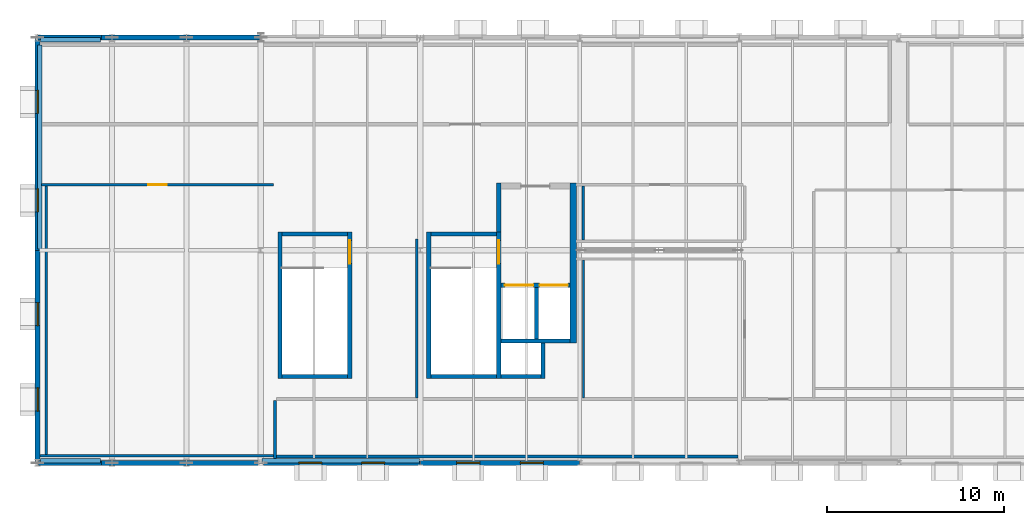
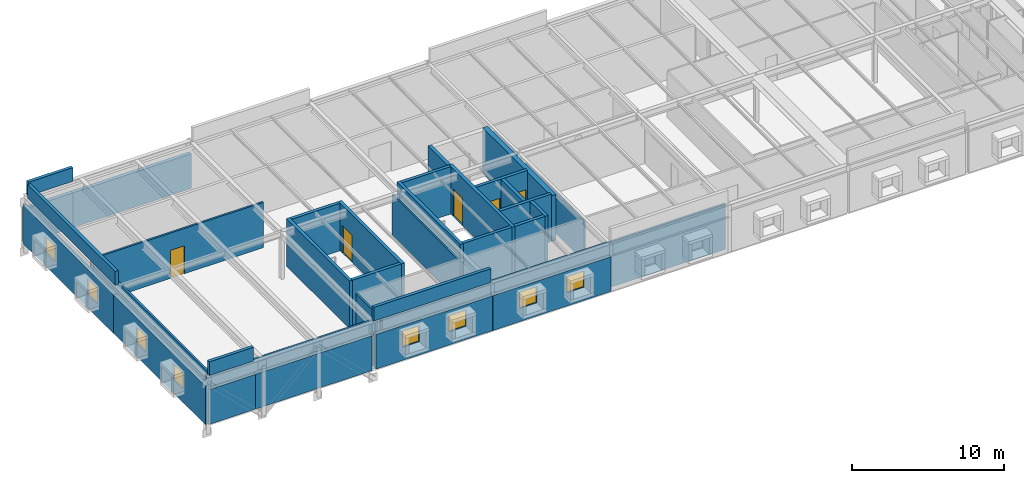
# One storey, part 11 of 16: 35 walls, 8 windows, 5 doors, 13 openings.
"""IFC4 building model written with IfcOpenShell, lengths in metres."""

from ifc_helpers import new_model, si_unit, direction, frame, frame_2d, origin, place, context, subcontext, project, spatial, rectangle, extrude, material, layer, layer_set, type_object, element, fill, save


model = new_model("IFC4")

# Units and contexts
model_context = context("Model", 3, precision=1e-05, world=origin(), true_north=direction((0.0, 1.0)))
body_context = subcontext(model_context, "Body", "Model", "MODEL_VIEW")
ifc_project = project(units=[si_unit("LENGTHUNIT", "METRE"), si_unit("AREAUNIT", "SQUARE_METRE"), si_unit("VOLUMEUNIT", "CUBIC_METRE"), si_unit("PLANEANGLEUNIT", "RADIAN"), si_unit("MASSUNIT", "GRAM", prefix="KILO")], contexts=[model_context])

# Site, building, storey
site_placement = place(None, origin())
site = spatial("IfcSite", under=ifc_project, at=site_placement, CompositionType="ELEMENT")
building_placement = place(site_placement, origin())
building = spatial("IfcBuilding", under=site, at=building_placement, Name="Montelvaro Courts of Justice", CompositionType="ELEMENT")
storey_placement = place(building_placement, frame((0.0, 0.0, 35.39990234375)))
storey = spatial("IfcBuildingStorey", under=building, at=storey_placement, Name="L08", CompositionType="ELEMENT", Elevation=35.39990234375)

# Walls
ifc_material_1 = material(Name="Gypsum board on metal stud")
ifc_layer_1 = layer(ifc_material_1, 0.14990234375)
ifc_layer_set_1 = layer_set([ifc_layer_1], Name="Gypsum board on metal stud")
wall_type_1 = type_object("IfcWallType", Name="ChambersPartition_150", PredefinedType="PARTITIONING", material=ifc_layer_set_1)
wall_1_placement = place(storey_placement, frame((71.919921875, 0.360107421875, 0.0), z_axis=(0.0, 0.0, 1.0), x_axis=(-1.0, 0.0, 0.0)))
element("IfcWall", 1, at=wall_1_placement, inside=storey, type_object=wall_type_1, Name="Interior Partition IW-04 (L08)", PredefinedType="PARTITIONING", context=body_context, shape_type="SweptSolid", body=[
    extrude(rectangle(XDim=26.0400390625, YDim=0.14990234375, at=frame_2d((13.02001953125, 0.0))), origin(), (0.0, 0.0, 1.0), 3.64013671875),
])
wall_2_placement = place(storey_placement, frame((45.800048828125, 0.235107421875, 0.0), z_axis=(0.0, 0.0, 1.0), x_axis=(0.0, 1.0, 0.0)))
element("IfcWall", 2, at=wall_2_placement, inside=storey, type_object=wall_type_1, Name="Interior Partition IW-04 (L08)", PredefinedType="PARTITIONING", context=body_context, shape_type="SweptSolid", body=[
    extrude(rectangle(XDim=3.284912109375, YDim=0.14990234375, at=frame_2d((1.642578125, 0.0))), origin(), (0.0, 0.0, 1.0), 3.64013671875),
])
wall_3_placement = place(storey_placement, frame((45.72998046875, 0.39990234375, 0.0), z_axis=(0.0, 0.0, 1.0), x_axis=(-1.0, 0.0, 0.0)))
element("IfcWall", 3, at=wall_3_placement, inside=storey, type_object=wall_type_1, Name="Interior Partition IW-04 (L08)", PredefinedType="PARTITIONING", context=body_context, shape_type="SweptSolid", body=[
    extrude(rectangle(XDim=13.195068359375, YDim=0.14990234375, at=frame_2d((6.59765625, 0.0))), origin(), (0.0, 0.0, 1.0), 3.64013671875),
])
wall_4_placement = place(storey_placement, frame((32.89990234375, 0.469970703125, 0.0), z_axis=(0.0, 0.0, 1.0), x_axis=(0.0, 1.0, 0.0)))
element("IfcWall", 4, at=wall_4_placement, inside=storey, type_object=wall_type_1, Name="Interior Partition IW-04 (L08)", PredefinedType="PARTITIONING", context=body_context, shape_type="SweptSolid", body=[
    extrude(rectangle(XDim=15.150146484375, YDim=0.14990234375, at=frame_2d((7.5751953125, 0.0))), origin(), (0.0, 0.0, 1.0), 3.64013671875),
])

# Wall, opening, door
wall_5_placement = place(storey_placement, frame((32.635009765625, 15.699951171875, 0.0), z_axis=(0.0, 0.0, 1.0), x_axis=(1.0, 0.0, 0.0)))
wall_5 = element("IfcWall", 5, at=wall_5_placement, inside=storey, type_object=wall_type_1, Name="Interior Partition IW-04 (L08)", PredefinedType="PARTITIONING", context=body_context, shape_type="SweptSolid", body=[
    extrude(rectangle(XDim=13.0849609375, YDim=0.14990234375, at=frame_2d((6.54248046875, 0.0))), origin(), (0.0, 0.0, 1.0), 3.64013671875),
])
opening_1_placement = place(wall_5_placement, frame((6.01708984375, 0.0, 0.0)))
opening_1 = element("IfcOpeningElement", 6, at=opening_1_placement, cuts=wall_5, Name="Opening D-L08-191", PredefinedType="OPENING", context=body_context, shape_type="SweptSolid", body=[
    extrude(rectangle(XDim=1.050048828125, YDim=2.25, at=frame_2d((0.52490234375, 1.125))), frame((0.0, 0.08984375, 0.0), z_axis=(0.0, -1.0, 0.0), x_axis=(1.0, 0.0, 0.0)), (0.0, 0.0, 1.0), 0.1796875),
])
ifc_material_2 = material(Name="Acoustic oak timber veneer", Category="wood")
door_type_1 = type_object("IfcDoorType", Name="ChamberDoor_105x225", OperationType="NOTDEFINED", PredefinedType="DOOR", material=ifc_material_2)
door_1_placement = place(opening_1_placement, frame((1.050048828125, 0.0, 0.0), z_axis=(0.0, 0.0, 1.0), x_axis=(-1.0, 0.0, 0.0)))
door_1 = element("IfcDoor", 7, at=door_1_placement, inside=storey, type_object=door_type_1, Name="Interior Door D-L08-191 (West Cantilever Judicial Reception Hall L08)", OperationType="SINGLE_SWING_RIGHT", OverallHeight=2.25, OverallWidth=1.050048828125, PredefinedType="DOOR", context=body_context, shape_type="SweptSolid", body=[
    extrude(rectangle(XDim=1.050048828125, YDim=2.25, at=frame_2d((0.52490234375, 1.125))), frame((0.0, 0.02490234375, 0.0), z_axis=(0.0, -1.0, 0.0), x_axis=(1.0, 0.0, 0.0)), (0.0, 0.0, 1.0), 0.050048828125),
])
fill(opening_1, door_1)

# Walls
wall_6_placement = place(storey_placement, frame((63.199951171875, 12.570068359375, 0.0), z_axis=(0.0, 0.0, 1.0), x_axis=(0.0, 1.0, 0.0)))
element("IfcWall", 8, at=wall_6_placement, inside=storey, type_object=wall_type_1, Name="Interior Partition IW-04 (L08)", PredefinedType="PARTITIONING", context=body_context, shape_type="SweptSolid", body=[
    extrude(rectangle(XDim=3.050048828125, YDim=0.14990234375, at=frame_2d((1.52490234375, 0.0))), origin(), (0.0, 0.0, 1.0), 3.2451171875),
])
ifc_material_3 = material(Name="Concrete C40/50", Category="concrete")
ifc_layer_2 = layer(ifc_material_3, 0.360107421875)
ifc_layer_set_2 = layer_set([ifc_layer_2], Name="Concrete C40/50")
wall_type_2 = type_object("IfcWallType", Name="CoreWall_360", PredefinedType="SHEAR", material=ifc_layer_set_2)
wall_7_placement = place(storey_placement, frame((62.6201171875, 6.760009765625, 0.0), z_axis=(0.0, 0.0, 1.0), x_axis=(0.0, 1.0, 0.0)))
element("IfcWall", 9, at=wall_7_placement, inside=storey, type_object=wall_type_2, Name="Core Shear Wall CW-01 K1-E (L08)", PredefinedType="SHEAR", context=body_context, shape_type="SweptSolid", body=[
    extrude(rectangle(XDim=9.0400390625, YDim=0.360107421875, at=frame_2d((4.52001953125, 0.0))), origin(), (0.0, 0.0, 1.0), 3.66015625),
])
ifc_material_4 = material(Name="White mineral precast concrete C45/55", Category="concrete")
ifc_layer_3 = layer(ifc_material_4, 0.280029296875)
ifc_layer_set_3 = layer_set([ifc_layer_3], Name="White mineral precast concrete C45/55")
wall_type_3 = type_object("IfcWallType", Name="ExtWall_GFRC_280", PredefinedType="SOLIDWALL", material=ifc_layer_set_3)
wall_8_placement = place(storey_placement, frame((32.43994140625, 0.0, 0.0), z_axis=(0.0, 0.0, 1.0), x_axis=(1.0, 0.0, 0.0)))
element("IfcWall", 10, at=wall_8_placement, inside=storey, type_object=wall_type_3, Name="Exterior Facade Wall EW-01 (L08)", PredefinedType="SOLIDWALL", context=body_context, shape_type="SweptSolid", body=[
    extrude(rectangle(XDim=3.570068359375, YDim=0.280029296875, at=frame_2d((1.78515625, 0.0))), origin(), (0.0, 0.0, 1.0), 2.787109375),
])
wall_9_placement = place(storey_placement, frame((35.989990234375, 0.0, 0.0), z_axis=(0.0, 0.0, 1.0), x_axis=(1.0, 0.0, 0.0)))
element("IfcWall", 11, at=wall_9_placement, inside=storey, type_object=wall_type_3, Name="Exterior Facade Wall EW-01 (L08)", PredefinedType="SOLIDWALL", context=body_context, shape_type="SweptSolid", body=[
    extrude(rectangle(XDim=8.8720703125, YDim=0.280029296875, at=frame_2d((4.43603515625, 0.0))), origin(), (0.0, 0.0, 1.0), 2.787109375),
])

# Wall, openings, windows
wall_10_placement = place(storey_placement, frame((45.137939453125, 0.0, 0.0), z_axis=(0.0, 0.0, 1.0), x_axis=(1.0, 0.0, 0.0)))
wall_10 = element("IfcWall", 12, at=wall_10_placement, inside=storey, type_object=wall_type_3, Name="Exterior Facade Wall EW-01 (L08)", PredefinedType="SOLIDWALL", context=body_context, shape_type="SweptSolid", body=[
    extrude(rectangle(XDim=8.85400390625, YDim=0.280029296875, at=frame_2d((4.427001953125, 0.0))), origin(), (0.0, 0.0, 1.0), 2.787109375),
])
opening_2_placement = place(wall_10_placement, frame((2.006103515625, 0.0, 1.050048828125)))
opening_2 = element("IfcOpeningElement", 13, at=opening_2_placement, cuts=wall_10, Name="Opening WE-18", PredefinedType="OPENING", context=body_context, shape_type="SweptSolid", body=[
    extrude(rectangle(XDim=1.300048828125, YDim=1.300048828125, at=frame_2d((0.64990234375, 0.64990234375))), frame((0.0, 0.15478515625, 0.0), z_axis=(0.0, -1.0, 0.0), x_axis=(1.0, 0.0, 0.0)), (0.0, 0.0, 1.0), 0.309814453125),
])
opening_3_placement = place(wall_10_placement, frame((5.548095703125, 0.0, 1.050048828125)))
opening_3 = element("IfcOpeningElement", 14, at=opening_3_placement, cuts=wall_10, Name="Opening WE-18", PredefinedType="OPENING", context=body_context, shape_type="SweptSolid", body=[
    extrude(rectangle(XDim=1.300048828125, YDim=1.300048828125, at=frame_2d((0.64990234375, 0.64990234375))), frame((0.0, 0.15478515625, 0.0), z_axis=(0.0, -1.0, 0.0), x_axis=(1.0, 0.0, 0.0)), (0.0, 0.0, 1.0), 0.309814453125),
])
ifc_material_5 = material(Name="Low-E solar control double glazing", Category="glass")
window_type = type_object("IfcWindowType", Name="Win_Sq_130x130", PartitioningType="SINGLE_PANEL", PredefinedType="WINDOW", material=ifc_material_5)
window_1_placement = place(opening_2_placement, origin())
window_1 = element("IfcWindow", 15, at=window_1_placement, inside=storey, type_object=window_type, Name="Window W-L08-370", OverallHeight=1.300048828125, OverallWidth=1.300048828125, PartitioningType="SINGLE_PANEL", PredefinedType="WINDOW", context=body_context, shape_type="SweptSolid", body=[
    extrude(rectangle(XDim=1.300048828125, YDim=1.300048828125, at=frame_2d((0.64990234375, 0.64990234375))), frame((0.0, 0.030029296875, 0.0), z_axis=(0.0, -1.0, 0.0), x_axis=(1.0, 0.0, 0.0)), (0.0, 0.0, 1.0), 0.06005859375),
])
fill(opening_2, window_1)
window_2_placement = place(opening_3_placement, origin())
window_2 = element("IfcWindow", 16, at=window_2_placement, inside=storey, type_object=window_type, Name="Window W-L08-371", OverallHeight=1.300048828125, OverallWidth=1.300048828125, PartitioningType="SINGLE_PANEL", PredefinedType="WINDOW", context=body_context, shape_type="SweptSolid", body=[
    extrude(rectangle(XDim=1.300048828125, YDim=1.300048828125, at=frame_2d((0.64990234375, 0.64990234375))), frame((0.0, 0.030029296875, 0.0), z_axis=(0.0, -1.0, 0.0), x_axis=(1.0, 0.0, 0.0)), (0.0, 0.0, 1.0), 0.06005859375),
])
fill(opening_3, window_2)

wall_11_placement = place(storey_placement, frame((54.008056640625, 0.0, 0.0), z_axis=(0.0, 0.0, 1.0), x_axis=(1.0, 0.0, 0.0)))
wall_11 = element("IfcWall", 17, at=wall_11_placement, inside=storey, type_object=wall_type_3, Name="Exterior Facade Wall EW-01 (L08)", PredefinedType="SOLIDWALL", context=body_context, shape_type="SweptSolid", body=[
    extrude(rectangle(XDim=8.98388671875, YDim=0.280029296875, at=frame_2d((4.491943359375, 0.0))), origin(), (0.0, 0.0, 1.0), 2.787109375),
])
opening_4_placement = place(wall_11_placement, frame((2.044921875, 0.0, 1.050048828125)))
opening_4 = element("IfcOpeningElement", 18, at=opening_4_placement, cuts=wall_11, Name="Opening WE-18", PredefinedType="OPENING", context=body_context, shape_type="SweptSolid", body=[
    extrude(rectangle(XDim=1.300048828125, YDim=1.300048828125, at=frame_2d((0.64990234375, 0.64990234375))), frame((0.0, 0.15478515625, 0.0), z_axis=(0.0, -1.0, 0.0), x_axis=(1.0, 0.0, 0.0)), (0.0, 0.0, 1.0), 0.309814453125),
])
opening_5_placement = place(wall_11_placement, frame((5.638916015625, 0.0, 1.050048828125)))
opening_5 = element("IfcOpeningElement", 19, at=opening_5_placement, cuts=wall_11, Name="Opening WE-18", PredefinedType="OPENING", context=body_context, shape_type="SweptSolid", body=[
    extrude(rectangle(XDim=1.300048828125, YDim=1.300048828125, at=frame_2d((0.64990234375, 0.64990234375))), frame((0.0, 0.15478515625, 0.0), z_axis=(0.0, -1.0, 0.0), x_axis=(1.0, 0.0, 0.0)), (0.0, 0.0, 1.0), 0.309814453125),
])
window_3_placement = place(opening_4_placement, origin())
window_3 = element("IfcWindow", 20, at=window_3_placement, inside=storey, type_object=window_type, Name="Window W-L08-372", OverallHeight=1.300048828125, OverallWidth=1.300048828125, PartitioningType="SINGLE_PANEL", PredefinedType="WINDOW", context=body_context, shape_type="SweptSolid", body=[
    extrude(rectangle(XDim=1.300048828125, YDim=1.300048828125, at=frame_2d((0.64990234375, 0.64990234375))), frame((0.0, 0.030029296875, 0.0), z_axis=(0.0, -1.0, 0.0), x_axis=(1.0, 0.0, 0.0)), (0.0, 0.0, 1.0), 0.06005859375),
])
fill(opening_4, window_3)
window_4_placement = place(opening_5_placement, origin())
window_4 = element("IfcWindow", 21, at=window_4_placement, inside=storey, type_object=window_type, Name="Window W-L08-373", OverallHeight=1.300048828125, OverallWidth=1.300048828125, PartitioningType="SINGLE_PANEL", PredefinedType="WINDOW", context=body_context, shape_type="SweptSolid", body=[
    extrude(rectangle(XDim=1.300048828125, YDim=1.300048828125, at=frame_2d((0.64990234375, 0.64990234375))), frame((0.0, 0.030029296875, 0.0), z_axis=(0.0, -1.0, 0.0), x_axis=(1.0, 0.0, 0.0)), (0.0, 0.0, 1.0), 0.06005859375),
])
fill(opening_5, window_4)

# Walls
wall_12_placement = place(storey_placement, frame((44.991943359375, 24.0, 0.0), z_axis=(0.0, 0.0, 1.0), x_axis=(-1.0, 0.0, 0.0)))
element("IfcWall", 22, at=wall_12_placement, inside=storey, type_object=wall_type_3, Name="Exterior Facade Wall EW-01 (L08)", PredefinedType="SOLIDWALL", context=body_context, shape_type="SweptSolid", body=[
    extrude(rectangle(XDim=9.001953125, YDim=0.280029296875, at=frame_2d((4.5009765625, 0.0))), origin(), (0.0, 0.0, 1.0), 2.787109375),
])
wall_13_placement = place(storey_placement, frame((36.010009765625, 24.0, 0.0), z_axis=(0.0, 0.0, 1.0), x_axis=(-1.0, 0.0, 0.0)))
element("IfcWall", 23, at=wall_13_placement, inside=storey, type_object=wall_type_3, Name="Exterior Facade Wall EW-01 (L08)", PredefinedType="SOLIDWALL", context=body_context, shape_type="SweptSolid", body=[
    extrude(rectangle(XDim=3.64990234375, YDim=0.280029296875, at=frame_2d((1.824951171875, 0.0))), origin(), (0.0, 0.0, 1.0), 2.787109375),
])

# Wall, openings, windows
wall_14_placement = place(storey_placement, frame((32.39990234375, 23.9599609375, 0.0), z_axis=(0.0, 0.0, 1.0), x_axis=(0.0, -1.0, 0.0)))
wall_14 = element("IfcWall", 24, at=wall_14_placement, inside=storey, type_object=wall_type_3, Name="Exterior Facade Wall EW-01 (L08)", PredefinedType="SOLIDWALL", context=body_context, shape_type="SweptSolid", body=[
    extrude(rectangle(XDim=11.969970703125, YDim=0.280029296875, at=frame_2d((5.98486328125, 0.0))), origin(), (0.0, 0.0, 1.0), 3.09521484375),
])
opening_6_placement = place(wall_14_placement, frame((2.94091796875, 0.0, 1.050048828125)))
opening_6 = element("IfcOpeningElement", 25, at=opening_6_placement, cuts=wall_14, Name="Opening WE-18", PredefinedType="OPENING", context=body_context, shape_type="SweptSolid", body=[
    extrude(rectangle(XDim=1.300048828125, YDim=1.300048828125, at=frame_2d((0.64990234375, 0.64990234375))), frame((0.0, 0.15478515625, 0.0), z_axis=(0.0, -1.0, 0.0), x_axis=(1.0, 0.0, 0.0)), (0.0, 0.0, 1.0), 0.309814453125),
])
opening_7_placement = place(wall_14_placement, frame((8.5, 0.0, 1.050048828125)))
opening_7 = element("IfcOpeningElement", 26, at=opening_7_placement, cuts=wall_14, Name="Opening WE-18", PredefinedType="OPENING", context=body_context, shape_type="SweptSolid", body=[
    extrude(rectangle(XDim=1.300048828125, YDim=1.300048828125, at=frame_2d((0.64990234375, 0.64990234375))), frame((0.0, 0.15478515625, 0.0), z_axis=(0.0, -1.0, 0.0), x_axis=(1.0, 0.0, 0.0)), (0.0, 0.0, 1.0), 0.309814453125),
])
window_5_placement = place(opening_6_placement, origin())
window_5 = element("IfcWindow", 27, at=window_5_placement, inside=storey, type_object=window_type, Name="Window W-L08-386", OverallHeight=1.300048828125, OverallWidth=1.300048828125, PartitioningType="SINGLE_PANEL", PredefinedType="WINDOW", context=body_context, shape_type="SweptSolid", body=[
    extrude(rectangle(XDim=1.300048828125, YDim=1.300048828125, at=frame_2d((0.64990234375, 0.64990234375))), frame((0.0, 0.030029296875, 0.0), z_axis=(0.0, -1.0, 0.0), x_axis=(1.0, 0.0, 0.0)), (0.0, 0.0, 1.0), 0.06005859375),
])
fill(opening_6, window_5)
window_6_placement = place(opening_7_placement, origin())
window_6 = element("IfcWindow", 28, at=window_6_placement, inside=storey, type_object=window_type, Name="Window W-L08-387", OverallHeight=1.300048828125, OverallWidth=1.300048828125, PartitioningType="SINGLE_PANEL", PredefinedType="WINDOW", context=body_context, shape_type="SweptSolid", body=[
    extrude(rectangle(XDim=1.300048828125, YDim=1.300048828125, at=frame_2d((0.64990234375, 0.64990234375))), frame((0.0, 0.030029296875, 0.0), z_axis=(0.0, -1.0, 0.0), x_axis=(1.0, 0.0, 0.0)), (0.0, 0.0, 1.0), 0.06005859375),
])
fill(opening_7, window_6)

wall_15_placement = place(storey_placement, frame((32.39990234375, 12.010009765625, 0.0), z_axis=(0.0, 0.0, 1.0), x_axis=(0.0, -1.0, 0.0)))
wall_15 = element("IfcWall", 29, at=wall_15_placement, inside=storey, type_object=wall_type_3, Name="Exterior Facade Wall EW-01 (L08)", PredefinedType="SOLIDWALL", context=body_context, shape_type="SweptSolid", body=[
    extrude(rectangle(XDim=12.050048828125, YDim=0.280029296875, at=frame_2d((6.02490234375, 0.0))), origin(), (0.0, 0.0, 1.0), 3.09521484375),
])
opening_8_placement = place(wall_15_placement, frame((2.965087890625, 0.0, 1.050048828125)))
opening_8 = element("IfcOpeningElement", 30, at=opening_8_placement, cuts=wall_15, Name="Opening WE-18", PredefinedType="OPENING", context=body_context, shape_type="SweptSolid", body=[
    extrude(rectangle(XDim=1.300048828125, YDim=1.300048828125, at=frame_2d((0.64990234375, 0.64990234375))), frame((0.0, 0.15478515625, 0.0), z_axis=(0.0, -1.0, 0.0), x_axis=(1.0, 0.0, 0.0)), (0.0, 0.0, 1.0), 0.309814453125),
])
opening_9_placement = place(wall_15_placement, frame((7.784912109375, 0.0, 1.050048828125)))
opening_9 = element("IfcOpeningElement", 31, at=opening_9_placement, cuts=wall_15, Name="Opening WE-18", PredefinedType="OPENING", context=body_context, shape_type="SweptSolid", body=[
    extrude(rectangle(XDim=1.300048828125, YDim=1.300048828125, at=frame_2d((0.64990234375, 0.64990234375))), frame((0.0, 0.15478515625, 0.0), z_axis=(0.0, -1.0, 0.0), x_axis=(1.0, 0.0, 0.0)), (0.0, 0.0, 1.0), 0.309814453125),
])
window_7_placement = place(opening_8_placement, origin())
window_7 = element("IfcWindow", 32, at=window_7_placement, inside=storey, type_object=window_type, Name="Window W-L08-388", OverallHeight=1.300048828125, OverallWidth=1.300048828125, PartitioningType="SINGLE_PANEL", PredefinedType="WINDOW", context=body_context, shape_type="SweptSolid", body=[
    extrude(rectangle(XDim=1.300048828125, YDim=1.300048828125, at=frame_2d((0.64990234375, 0.64990234375))), frame((0.0, 0.030029296875, 0.0), z_axis=(0.0, -1.0, 0.0), x_axis=(1.0, 0.0, 0.0)), (0.0, 0.0, 1.0), 0.06005859375),
])
fill(opening_8, window_7)
window_8_placement = place(opening_9_placement, origin())
window_8 = element("IfcWindow", 33, at=window_8_placement, inside=storey, type_object=window_type, Name="Window W-L08-389", OverallHeight=1.300048828125, OverallWidth=1.300048828125, PartitioningType="SINGLE_PANEL", PredefinedType="WINDOW", context=body_context, shape_type="SweptSolid", body=[
    extrude(rectangle(XDim=1.300048828125, YDim=1.300048828125, at=frame_2d((0.64990234375, 0.64990234375))), frame((0.0, 0.030029296875, 0.0), z_axis=(0.0, -1.0, 0.0), x_axis=(1.0, 0.0, 0.0)), (0.0, 0.0, 1.0), 0.06005859375),
])
fill(opening_9, window_8)

# Walls
ifc_layer_4 = layer(ifc_material_1, 0.1201171875)
ifc_layer_set_4 = layer_set([ifc_layer_4], Name="Gypsum board on metal stud")
wall_type_4 = type_object("IfcWallType", Name="OfficePartition_120", PredefinedType="PARTITIONING", material=ifc_layer_set_4)
wall_16_placement = place(storey_placement, frame((53.800048828125, 12.6201171875, 0.0), z_axis=(0.0, 0.0, 1.0), x_axis=(0.0, -1.0, 0.0)))
element("IfcWall", 34, at=wall_16_placement, inside=storey, type_object=wall_type_4, Name="Interior Partition IW-05 (L08)", PredefinedType="PARTITIONING", context=body_context, shape_type="SweptSolid", body=[
    extrude(rectangle(XDim=8.9501953125, YDim=0.1201171875, at=frame_2d((4.47509765625, 0.0))), origin(), (0.0, 0.0, 1.0), 3.30517578125),
])
wall_17_placement = place(storey_placement, frame((63.199951171875, 3.669921875, 0.0), z_axis=(0.0, 0.0, 1.0), x_axis=(0.0, 1.0, 0.0)))
element("IfcWall", 35, at=wall_17_placement, inside=storey, type_object=wall_type_4, Name="Interior Partition IW-05 (L08)", PredefinedType="PARTITIONING", context=body_context, shape_type="SweptSolid", body=[
    extrude(rectangle(XDim=7.775146484375, YDim=0.1201171875, at=frame_2d((3.8876953125, 0.0))), origin(), (0.0, 0.0, 1.0), 3.2451171875),
])
ifc_layer_5 = layer(ifc_material_4, 0.239990234375)
ifc_layer_set_5 = layer_set([ifc_layer_5], Name="White mineral precast concrete C45/55")
wall_type_5 = type_object("IfcWallType", Name="ParapetWall_240", PredefinedType="PARAPET", material=ifc_layer_set_5)
wall_18_placement = place(storey_placement, frame((32.580078125, 0.1201171875, 3.800048828125), z_axis=(0.0, 0.0, 1.0), x_axis=(1.0, 0.0, 0.0)))
element("IfcWall", 36, at=wall_18_placement, inside=storey, type_object=wall_type_5, Name="Roof Parapet PW-01 L08-001", PredefinedType="PARAPET", context=body_context, shape_type="SweptSolid", body=[
    extrude(rectangle(XDim=3.35986328125, YDim=0.239990234375, at=frame_2d((1.679931640625, 0.0))), origin(), (0.0, 0.0, 1.0), 1.10009765625),
])
wall_19_placement = place(storey_placement, frame((45.06005859375, 0.1201171875, 3.800048828125), z_axis=(0.0, 0.0, 1.0), x_axis=(1.0, 0.0, 0.0)))
element("IfcWall", 37, at=wall_19_placement, inside=storey, type_object=wall_type_5, Name="Roof Parapet PW-01 L08-002", PredefinedType="PARAPET", context=body_context, shape_type="SweptSolid", body=[
    extrude(rectangle(XDim=8.8798828125, YDim=0.239990234375, at=frame_2d((4.43994140625, 0.0))), origin(), (0.0, 0.0, 1.0), 1.10009765625),
])
wall_20_placement = place(storey_placement, frame((35.93994140625, 23.8798828125, 3.800048828125), z_axis=(0.0, 0.0, 1.0), x_axis=(-1.0, 0.0, 0.0)))
element("IfcWall", 38, at=wall_20_placement, inside=storey, type_object=wall_type_5, Name="Roof Parapet PW-01 L08-013", PredefinedType="PARAPET", context=body_context, shape_type="SweptSolid", body=[
    extrude(rectangle(XDim=3.35986328125, YDim=0.239990234375, at=frame_2d((1.679931640625, 0.0))), origin(), (0.0, 0.0, 1.0), 1.10009765625),
])
wall_21_placement = place(storey_placement, frame((32.52001953125, 23.580078125, 3.800048828125), z_axis=(0.0, 0.0, 1.0), x_axis=(0.0, -1.0, 0.0)))
element("IfcWall", 39, at=wall_21_placement, inside=storey, type_object=wall_type_5, Name="Roof Parapet PW-01 L08-014", PredefinedType="PARAPET", context=body_context, shape_type="SweptSolid", body=[
    extrude(rectangle(XDim=11.52001953125, YDim=0.239990234375, at=frame_2d((5.760009765625, 0.0))), origin(), (0.0, 0.0, 1.0), 1.10009765625),
])
ifc_material_6 = material(Name="Concrete C35/45", Category="concrete")
ifc_layer_6 = layer(ifc_material_6, 0.239990234375)
ifc_layer_set_6 = layer_set([ifc_layer_6], Name="Concrete C35/45")
wall_type_6 = type_object("IfcWallType", Name="ShaftWall_240", PredefinedType="SHEAR", material=ifc_layer_set_6)
wall_22_placement = place(storey_placement, frame((54.47998046875, 4.760009765625, 0.0), z_axis=(0.0, 0.0, 1.0), x_axis=(0.0, 1.0, 0.0)))
element("IfcWall", 40, at=wall_22_placement, inside=storey, type_object=wall_type_6, Name="Protected Stair Structural Wall ST-K1-W (L08)", PredefinedType="SHEAR", context=body_context, shape_type="SweptSolid", body=[
    extrude(rectangle(XDim=8.280029296875, YDim=0.239990234375, at=frame_2d((4.14013671875, 0.0))), origin(), (0.0, 0.0, 1.0), 3.81005859375),
])

# Wall, opening, door
wall_23_placement = place(storey_placement, frame((58.419921875, 4.760009765625, 0.0), z_axis=(0.0, 0.0, 1.0), x_axis=(0.0, 1.0, 0.0)))
wall_23 = element("IfcWall", 41, at=wall_23_placement, inside=storey, type_object=wall_type_6, Name="Protected Stair Structural Wall ST-K1-E (L08)", PredefinedType="SHEAR", context=body_context, shape_type="SweptSolid", body=[
    extrude(rectangle(XDim=8.280029296875, YDim=0.239990234375, at=frame_2d((4.14013671875, 0.0))), origin(), (0.0, 0.0, 1.0), 3.81005859375),
])
opening_10_placement = place(wall_23_placement, frame((6.489990234375, 0.0, 0.0)))
opening_10 = element("IfcOpeningElement", 42, at=opening_10_placement, cuts=wall_23, Name="Opening DS-L08-K1", PredefinedType="OPENING", context=body_context, shape_type="SweptSolid", body=[
    extrude(rectangle(XDim=1.300048828125, YDim=2.199951171875, at=frame_2d((0.64990234375, 1.10009765625))), frame((0.0, 0.134765625, 0.0), z_axis=(0.0, -1.0, 0.0), x_axis=(1.0, 0.0, 0.0)), (0.0, 0.0, 1.0), 0.269775390625),
])
ifc_material_7 = material(Name="Galvanised steel S355 security door", Category="steel")
door_type_2 = type_object("IfcDoorType", Name="StairFireDoor_130x220", OperationType="NOTDEFINED", PredefinedType="DOOR", material=ifc_material_7)
door_2_placement = place(opening_10_placement, frame((1.300048828125, 0.0, 0.0), z_axis=(0.0, 0.0, 1.0), x_axis=(-1.0, 0.0, 0.0)))
door_2 = element("IfcDoor", 43, at=door_2_placement, inside=storey, type_object=door_type_2, Name="Protected Stair Fire Door DS-L08-K1", OperationType="SINGLE_SWING_RIGHT", OverallHeight=2.199951171875, OverallWidth=1.300048828125, PredefinedType="DOOR", context=body_context, shape_type="SweptSolid", body=[
    extrude(rectangle(XDim=1.300048828125, YDim=2.199951171875, at=frame_2d((0.64990234375, 1.10009765625))), frame((0.0, 0.02490234375, 0.0), z_axis=(0.0, -1.0, 0.0), x_axis=(1.0, 0.0, 0.0)), (0.0, 0.0, 1.0), 0.050048828125),
])
fill(opening_10, door_2)

# Walls
for number, where, z_axis, x_axis, name in (
    (44, (54.60009765625, 4.8798828125, 0.0), (0.0, 0.0, 1.0), (1.0, 0.0, 0.0), "Protected Stair Structural Wall ST-K1-S (L08)"),
    (45, (54.60009765625, 12.919921875, 0.0), (0.0, 0.0, 1.0), (1.0, 0.0, 0.0), "Protected Stair Structural Wall ST-K1-N (L08)"),
):
    element("IfcWall", number, at=place(storey_placement, frame(where, z_axis=z_axis, x_axis=x_axis)), inside=storey, type_object=wall_type_6, Name=name, PredefinedType="SHEAR", context=body_context, shape_type="SweptSolid", body=[
        extrude(rectangle(XDim=3.699951171875, YDim=0.239990234375, at=frame_2d((1.85009765625, 0.0))), origin(), (0.0, 0.0, 1.0), 3.81005859375),
    ])
wall_24_placement = place(storey_placement, frame((46.080078125, 4.760009765625, 0.0), z_axis=(0.0, 0.0, 1.0), x_axis=(0.0, 1.0, 0.0)))
element("IfcWall", 46, at=wall_24_placement, inside=storey, type_object=wall_type_6, Name="Protected Stair Structural Wall ST-E1-W (L08)", PredefinedType="SHEAR", context=body_context, shape_type="SweptSolid", body=[
    extrude(rectangle(XDim=8.280029296875, YDim=0.239990234375, at=frame_2d((4.14013671875, 0.0))), origin(), (0.0, 0.0, 1.0), 3.81005859375),
])

# Wall, opening, door
wall_25_placement = place(storey_placement, frame((50.02001953125, 4.760009765625, 0.0), z_axis=(0.0, 0.0, 1.0), x_axis=(0.0, 1.0, 0.0)))
wall_25 = element("IfcWall", 47, at=wall_25_placement, inside=storey, type_object=wall_type_6, Name="Protected Stair Structural Wall ST-E1-E (L08)", PredefinedType="SHEAR", context=body_context, shape_type="SweptSolid", body=[
    extrude(rectangle(XDim=8.280029296875, YDim=0.239990234375, at=frame_2d((4.14013671875, 0.0))), origin(), (0.0, 0.0, 1.0), 3.81005859375),
])
opening_11_placement = place(wall_25_placement, frame((6.489990234375, 0.0, 0.0)))
opening_11 = element("IfcOpeningElement", 48, at=opening_11_placement, cuts=wall_25, Name="Opening DS-L08-SE1", PredefinedType="OPENING", context=body_context, shape_type="SweptSolid", body=[
    extrude(rectangle(XDim=1.300048828125, YDim=2.199951171875, at=frame_2d((0.64990234375, 1.10009765625))), frame((0.0, 0.134765625, 0.0), z_axis=(0.0, -1.0, 0.0), x_axis=(1.0, 0.0, 0.0)), (0.0, 0.0, 1.0), 0.269775390625),
])
door_3_placement = place(opening_11_placement, frame((1.300048828125, 0.0, 0.0), z_axis=(0.0, 0.0, 1.0), x_axis=(-1.0, 0.0, 0.0)))
door_3 = element("IfcDoor", 49, at=door_3_placement, inside=storey, type_object=door_type_2, Name="Protected Stair Fire Door DS-L08-SE1", OperationType="SINGLE_SWING_RIGHT", OverallHeight=2.199951171875, OverallWidth=1.300048828125, PredefinedType="DOOR", context=body_context, shape_type="SweptSolid", body=[
    extrude(rectangle(XDim=1.300048828125, YDim=2.199951171875, at=frame_2d((0.64990234375, 1.10009765625))), frame((0.0, 0.02490234375, 0.0), z_axis=(0.0, -1.0, 0.0), x_axis=(1.0, 0.0, 0.0)), (0.0, 0.0, 1.0), 0.050048828125),
])
fill(opening_11, door_3)

# Walls
for number, where, z_axis, x_axis, name in (
    (50, (46.199951171875, 4.8798828125, 0.0), (0.0, 0.0, 1.0), (1.0, 0.0, 0.0), "Protected Stair Structural Wall ST-E1-S (L08)"),
    (51, (46.199951171875, 12.919921875, 0.0), (0.0, 0.0, 1.0), (1.0, 0.0, 0.0), "Protected Stair Structural Wall ST-E1-N (L08)"),
):
    element("IfcWall", number, at=place(storey_placement, frame(where, z_axis=z_axis, x_axis=x_axis)), inside=storey, type_object=wall_type_6, Name=name, PredefinedType="SHEAR", context=body_context, shape_type="SweptSolid", body=[
        extrude(rectangle(XDim=3.699951171875, YDim=0.239990234375, at=frame_2d((1.85009765625, 0.0))), origin(), (0.0, 0.0, 1.0), 3.81005859375),
    ])
wall_26_placement = place(storey_placement, frame((58.419921875, 13.0400390625, 0.0), z_axis=(0.0, 0.0, 1.0), x_axis=(0.0, 1.0, 0.0)))
element("IfcWall", 52, at=wall_26_placement, inside=storey, type_object=wall_type_6, Name="Core Lobby Structural Wall K1-W (L08)", PredefinedType="SHEAR", context=body_context, shape_type="SweptSolid", body=[
    extrude(rectangle(XDim=2.760009765625, YDim=0.239990234375, at=frame_2d((1.3798828125, 0.0))), origin(), (0.0, 0.0, 1.0), 3.66015625),
])

# Wall, openings, doors
wall_27_placement = place(storey_placement, frame((58.5400390625, 10.02001953125, 0.0), z_axis=(0.0, 0.0, 1.0), x_axis=(1.0, 0.0, 0.0)))
wall_27 = element("IfcWall", 53, at=wall_27_placement, inside=storey, type_object=wall_type_6, Name="Lift Shaft Bank Wall K1 (L08)", PredefinedType="SHEAR", context=body_context, shape_type="SweptSolid", body=[
    extrude(rectangle(XDim=3.89990234375, YDim=0.239990234375, at=frame_2d((1.949951171875, 0.0))), origin(), (0.0, 0.0, 1.0), 3.81005859375),
])
opening_12_placement = place(wall_27_placement, frame((0.235107421875, 0.0, 0.0)))
opening_12 = element("IfcOpeningElement", 54, at=opening_12_placement, cuts=wall_27, Name="Opening LD-LF-01-L08", PredefinedType="OPENING", context=body_context, shape_type="SweptSolid", body=[
    extrude(rectangle(XDim=1.60009765625, YDim=2.300048828125, at=frame_2d((0.800048828125, 1.14990234375))), frame((0.0, 0.134765625, 0.0), z_axis=(0.0, -1.0, 0.0), x_axis=(1.0, 0.0, 0.0)), (0.0, 0.0, 1.0), 0.269775390625),
])
opening_13_placement = place(wall_27_placement, frame((2.18505859375, 0.0, 0.0)))
opening_13 = element("IfcOpeningElement", 55, at=opening_13_placement, cuts=wall_27, Name="Opening LD-LJ-01-L08", PredefinedType="OPENING", context=body_context, shape_type="SweptSolid", body=[
    extrude(rectangle(XDim=1.60009765625, YDim=2.300048828125, at=frame_2d((0.800048828125, 1.14990234375))), frame((0.0, 0.134765625, 0.0), z_axis=(0.0, -1.0, 0.0), x_axis=(1.0, 0.0, 0.0)), (0.0, 0.0, 1.0), 0.269775390625),
])
door_type_3 = type_object("IfcDoorType", Name="LiftDoor_160x230", OperationType="DOUBLE_DOOR_SLIDING", PredefinedType="DOOR", material=ifc_material_7)
door_4_placement = place(opening_12_placement, origin())
door_4 = element("IfcDoor", 56, at=door_4_placement, inside=storey, type_object=door_type_3, Name="Lift Landing Sliding Door LD-LF-01-L08", OperationType="DOUBLE_DOOR_SLIDING", OverallHeight=2.300048828125, OverallWidth=1.60009765625, PredefinedType="DOOR", context=body_context, shape_type="SweptSolid", body=[
    extrude(rectangle(XDim=1.60009765625, YDim=2.300048828125, at=frame_2d((0.800048828125, 1.14990234375))), frame((0.0, 0.02490234375, 0.0), z_axis=(0.0, -1.0, 0.0), x_axis=(1.0, 0.0, 0.0)), (0.0, 0.0, 1.0), 0.050048828125),
])
fill(opening_12, door_4)
door_5_placement = place(opening_13_placement, origin())
door_5 = element("IfcDoor", 57, at=door_5_placement, inside=storey, type_object=door_type_3, Name="Lift Landing Sliding Door LD-LJ-01-L08", OperationType="DOUBLE_DOOR_SLIDING", OverallHeight=2.300048828125, OverallWidth=1.60009765625, PredefinedType="DOOR", context=body_context, shape_type="SweptSolid", body=[
    extrude(rectangle(XDim=1.60009765625, YDim=2.300048828125, at=frame_2d((0.800048828125, 1.14990234375))), frame((0.0, 0.02490234375, 0.0), z_axis=(0.0, -1.0, 0.0), x_axis=(1.0, 0.0, 0.0)), (0.0, 0.0, 1.0), 0.050048828125),
])
fill(opening_13, door_5)

# Walls
wall_28_placement = place(storey_placement, frame((58.5400390625, 6.8798828125, 0.0), z_axis=(0.0, 0.0, 1.0), x_axis=(1.0, 0.0, 0.0)))
element("IfcWall", 58, at=wall_28_placement, inside=storey, type_object=wall_type_6, Name="Lift Shaft Back Wall K1 (L08)", PredefinedType="SHEAR", context=body_context, shape_type="SweptSolid", body=[
    extrude(rectangle(XDim=3.89990234375, YDim=0.239990234375, at=frame_2d((1.949951171875, 0.0))), origin(), (0.0, 0.0, 1.0), 3.81005859375),
])
wall_29_placement = place(storey_placement, frame((60.550048828125, 7.0, 0.0), z_axis=(0.0, 0.0, 1.0), x_axis=(0.0, 1.0, 0.0)))
element("IfcWall", 59, at=wall_29_placement, inside=storey, type_object=wall_type_6, Name="Lift Shaft Divider Wall K1-LFD1 (L08)", PredefinedType="SHEAR", context=body_context, shape_type="SweptSolid", body=[
    extrude(rectangle(XDim=2.89990234375, YDim=0.239990234375, at=frame_2d((1.449951171875, 0.0))), origin(), (0.0, 0.0, 1.0), 3.81005859375),
])
wall_30_placement = place(storey_placement, frame((60.919921875, 4.760009765625, 0.0), z_axis=(0.0, 0.0, 1.0), x_axis=(0.0, 1.0, 0.0)))
element("IfcWall", 60, at=wall_30_placement, inside=storey, type_object=wall_type_6, Name="Service Riser East Shaft Wall K1 (L08)", PredefinedType="SHEAR", context=body_context, shape_type="SweptSolid", body=[
    extrude(rectangle(XDim=2.0, YDim=0.239990234375, at=frame_2d((1.0, 0.0))), origin(), (0.0, 0.0, 1.0), 3.81005859375),
])
wall_31_placement = place(storey_placement, frame((58.5400390625, 4.8798828125, 0.0), z_axis=(0.0, 0.0, 1.0), x_axis=(1.0, 0.0, 0.0)))
element("IfcWall", 61, at=wall_31_placement, inside=storey, type_object=wall_type_6, Name="Service Riser South Shaft Wall K1 (L08)", PredefinedType="SHEAR", context=body_context, shape_type="SweptSolid", body=[
    extrude(rectangle(XDim=2.260009765625, YDim=0.239990234375, at=frame_2d((1.1298828125, 0.0))), origin(), (0.0, 0.0, 1.0), 3.81005859375),
])

save(model, "model.ifc")
